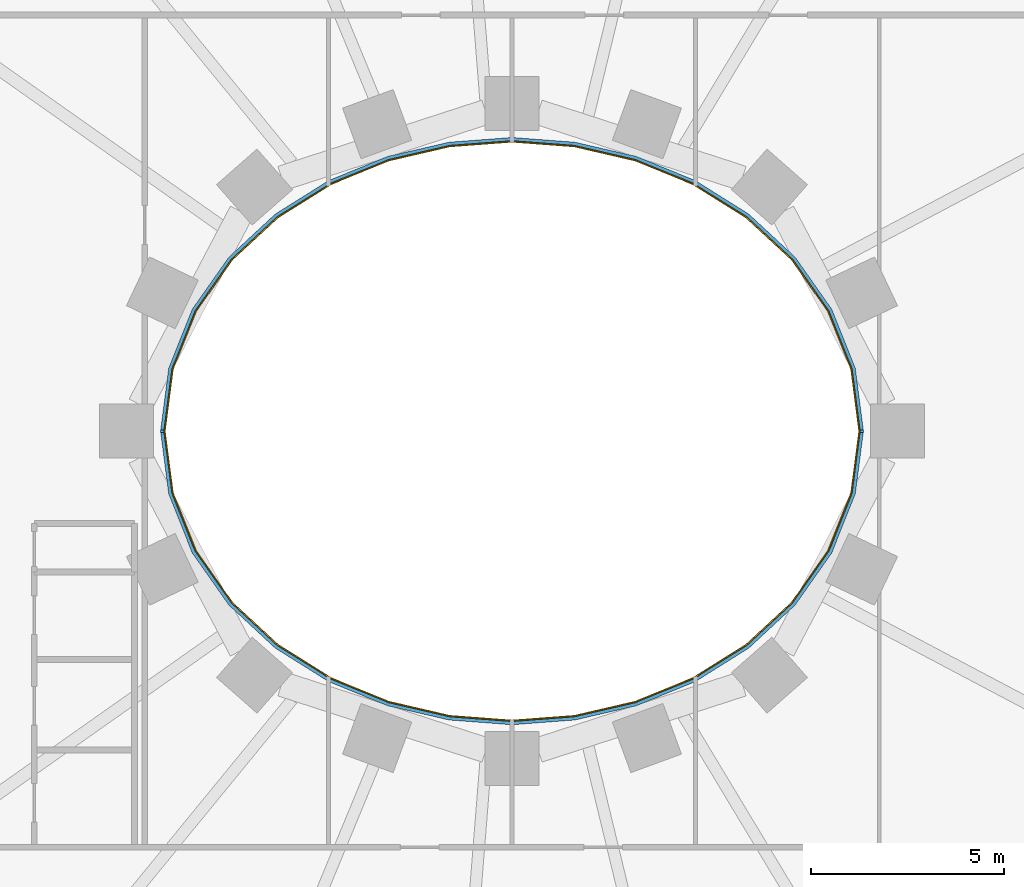
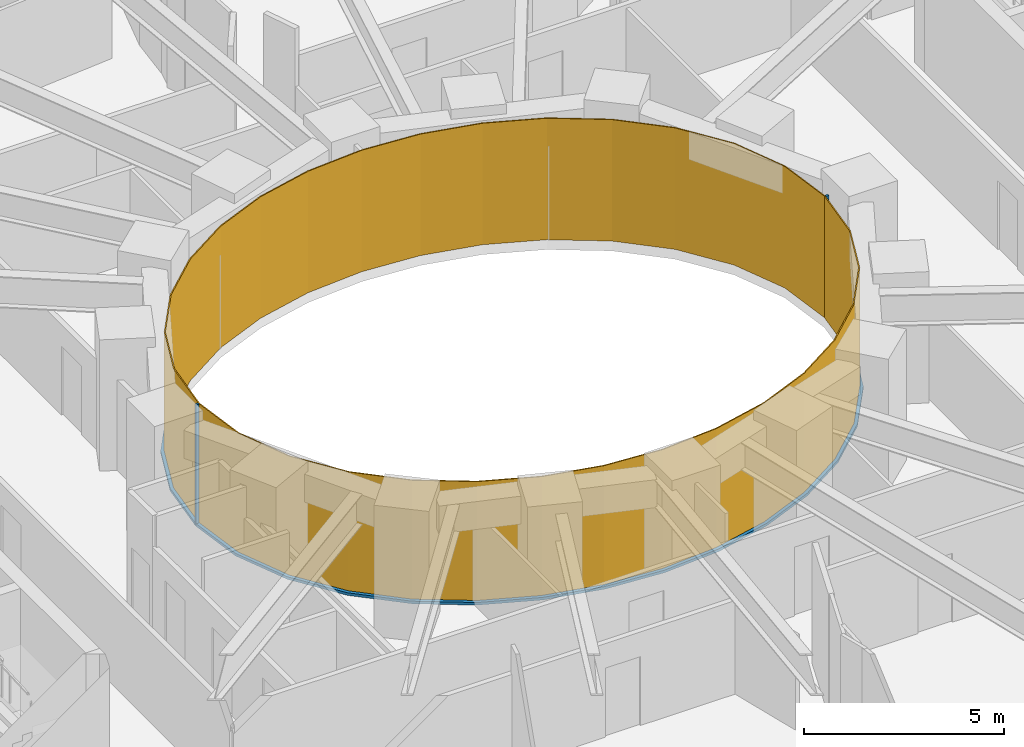
# One storey, part 10 of 15: 4 members, 2 curtain walls.
"""IFC4 building model written with IfcOpenShell, lengths in metres."""

from ifc_helpers import new_model, si_unit, direction, frame, origin, origin_2d, place, context, subcontext, project, spatial, polyline, rectangle, outline, extrude, material, layer, layer_set, material_profile, profile_set, type_object, element, aggregate, save


model = new_model("IFC4")

# Units and contexts
model_context = context("Model", 3, precision=1e-05, world=origin(), true_north=direction((0.0, 1.0)))
body_context = subcontext(model_context, "Body", "Model", "MODEL_VIEW")
ifc_project = project(units=[si_unit("LENGTHUNIT", "METRE"), si_unit("AREAUNIT", "SQUARE_METRE"), si_unit("VOLUMEUNIT", "CUBIC_METRE"), si_unit("PLANEANGLEUNIT", "RADIAN"), si_unit("MASSUNIT", "GRAM", prefix="KILO")], contexts=[model_context])

# Member
ifc_material_1 = material(Name="Steel S355 fire-resisting frame", Category="steel")
ifc_material_profile = material_profile(ifc_material_1, rectangle(XDim=0.090087890625, YDim=0.06005859375, at=origin_2d()), Name="90x60")
ifc_profile_set = profile_set([ifc_material_profile], Name="Steel S355 fire-resisting frame")
member_type_1 = type_object("IfcMemberType", Name="ENV-MULLION-W-90", PredefinedType="MULLION", material=ifc_profile_set)
site_placement = place(None, origin())
building_placement = place(site_placement, origin())
storey_placement = place(building_placement, frame((0.0, 0.0, 50.5)))
member_1_placement = place(storey_placement, frame((9.076904296875, 0.0, 0.0), z_axis=(0.0, 0.0, 1.0), x_axis=(1.0, 0.0, 0.0)))
member_1 = element("IfcMember", 1, at=member_1_placement, type_object=member_type_1, Name="Mullion W well vertex 01", PredefinedType="MULLION", context=body_context, shape_type="SweptSolid", body=[
    extrude(rectangle(XDim=0.090087890625, YDim=0.06005859375, at=origin_2d()), origin(), (0.0, 0.0, 1.0), 3.699951171875),
])

member_2_placement = place(storey_placement, frame((-9.076904296875, 0.0, 0.0), z_axis=(0.0, 0.0, 1.0), x_axis=(-1.0, 0.0, 0.0)))
member_2 = element("IfcMember", 2, at=member_2_placement, type_object=member_type_1, Name="Mullion W well vertex 17", PredefinedType="MULLION", context=body_context, shape_type="SweptSolid", body=[
    extrude(rectangle(XDim=0.090087890625, YDim=0.06005859375, at=origin_2d()), origin(), (0.0, 0.0, 1.0), 3.699951171875),
])

ifc_material_2 = material(Name="Steel S355 fire-resisting frame", Category="steel")
member_type_2 = type_object("IfcMemberType", Name="ENV-TRANSOM-W", PredefinedType="USERDEFINED", material=ifc_material_2)
member_3_placement = place(storey_placement, origin())
member_3 = element("IfcMember", 3, at=member_3_placement, type_object=member_type_2, Name="Transom W well 01-17", ObjectType="TRANSOM", PredefinedType="USERDEFINED", context=body_context, shape_type="SweptSolid", body=[
    extrude(outline(polyline([(9.119384765625, 0.02783203125), (8.910400390625, 1.63623046875), (8.29833984375, 3.167236328125), (7.35107421875, 4.5146484375), (6.1455078125, 5.6337890625), (4.75341796875, 6.50634765625), (3.233642578125, 7.127685546875), (1.635498046875, 7.498779296875), (0.0, 7.622314453125), (-1.635498046875, 7.498779296875), (-3.233642578125, 7.127685546875), (-4.75341796875, 6.50634765625), (-6.1455078125, 5.6337890625), (-7.35107421875, 4.5146484375), (-8.29833984375, 3.167236328125), (-8.910400390625, 1.63623046875), (-9.119384765625, 0.02783203125), (-9.02880859375, 0.02783203125), (-8.822509765625, 1.61328125), (-8.21875, 3.124267578125), (-7.282958984375, 4.455078125), (-6.090576171875, 5.56201171875), (-4.712158203125, 6.426025390625), (-3.206298828125, 7.04150390625), (-1.621826171875, 7.40966796875), (0.0, 7.531982421875), (1.621826171875, 7.40966796875), (3.206298828125, 7.04150390625), (4.712158203125, 6.426025390625), (6.090576171875, 5.56201171875), (7.282958984375, 4.455078125), (8.21875, 3.124267578125), (8.822509765625, 1.61328125), (9.02880859375, 0.02783203125), (9.119384765625, 0.02783203125)])), origin(), (0.0, 0.0, 1.0), 0.080078125),
])

member_4_placement = place(storey_placement, origin())
member_4 = element("IfcMember", 4, at=member_4_placement, type_object=member_type_2, Name="Transom W well 17-01", ObjectType="TRANSOM", PredefinedType="USERDEFINED", context=body_context, shape_type="SweptSolid", body=[
    extrude(outline(polyline([(-9.119384765625, -0.02783203125), (-8.910400390625, -1.63623046875), (-8.29833984375, -3.167236328125), (-7.35107421875, -4.5146484375), (-6.1455078125, -5.6337890625), (-4.75341796875, -6.50634765625), (-3.233642578125, -7.127685546875), (-1.635498046875, -7.498779296875), (0.0, -7.622314453125), (1.635498046875, -7.498779296875), (3.233642578125, -7.127685546875), (4.75341796875, -6.50634765625), (6.1455078125, -5.6337890625), (7.35107421875, -4.5146484375), (8.29833984375, -3.167236328125), (8.910400390625, -1.63623046875), (9.119384765625, -0.02783203125), (9.02880859375, -0.02783203125), (8.822509765625, -1.61328125), (8.21875, -3.124267578125), (7.282958984375, -4.455078125), (6.090576171875, -5.56201171875), (4.712158203125, -6.426025390625), (3.206298828125, -7.04150390625), (1.621826171875, -7.40966796875), (0.0, -7.531982421875), (-1.621826171875, -7.40966796875), (-3.206298828125, -7.04150390625), (-4.712158203125, -6.426025390625), (-6.090576171875, -5.56201171875), (-7.282958984375, -4.455078125), (-8.21875, -3.124267578125), (-8.822509765625, -1.61328125), (-9.02880859375, -0.02783203125), (-9.119384765625, -0.02783203125)])), origin(), (0.0, 0.0, 1.0), 0.080078125),
])

# Site, building, storey
site = spatial("IfcSite", under=ifc_project, at=site_placement, CompositionType="ELEMENT")
building = spatial("IfcBuilding", under=site, at=building_placement, Name="Noorbagh Ring Tower", CompositionType="ELEMENT")
storey = spatial("IfcBuildingStorey", under=building, at=storey_placement, Name="L10", CompositionType="ELEMENT", Elevation=50.5)

# Curtain wall
ifc_material_3 = material(Name="Glass fire-resisting E60 laminated", Category="glass")
ifc_layer = layer(ifc_material_3, 0.031982421875)
ifc_layer_set = layer_set([ifc_layer], Name="Glass fire-resisting E60 laminated")
curtain_wall_type = type_object("IfcCurtainWallType", Name="ENV-CW-W", PredefinedType="NOTDEFINED", material=ifc_layer_set)
curtain_wall_1_placement = place(storey_placement, origin())
curtain_wall_1 = element("IfcCurtainWall", 5, at=curtain_wall_1_placement, inside=storey, type_object=curtain_wall_type, Name="Curtain wall W W01", PredefinedType="NOTDEFINED", context=body_context, shape_type="SweptSolid", body=[
    extrude(outline(polyline([(9.0322265625, 0.0), (8.822509765625, 1.61328125), (8.21875, 3.124267578125), (7.282958984375, 4.455078125), (6.090576171875, 5.56201171875), (4.712158203125, 6.426025390625), (3.206298828125, 7.04150390625), (1.621826171875, 7.40966796875), (0.0, 7.531982421875), (-1.621826171875, 7.40966796875), (-3.206298828125, 7.04150390625), (-4.712158203125, 6.426025390625), (-6.090576171875, 5.56201171875), (-7.282958984375, 4.455078125), (-8.21875, 3.124267578125), (-8.822509765625, 1.61328125), (-9.0322265625, 0.0), (-9.0, 0.0), (-8.79150390625, 1.605224609375), (-8.1904296875, 3.10888671875), (-7.2587890625, 4.43408203125), (-6.071044921875, 5.53662109375), (-4.697509765625, 6.3974609375), (-3.196533203125, 7.010986328125), (-1.6171875, 7.3779296875), (0.0, 7.5), (1.6171875, 7.3779296875), (3.196533203125, 7.010986328125), (4.697509765625, 6.3974609375), (6.071044921875, 5.53662109375), (7.2587890625, 4.43408203125), (8.1904296875, 3.10888671875), (8.79150390625, 1.605224609375), (9.0, 0.0), (9.0322265625, 0.0)])), origin(), (0.0, 0.0, 1.0), 3.699951171875),
])

aggregate(curtain_wall_1, [member_1, member_2, member_3])

curtain_wall_2_placement = place(storey_placement, origin())
curtain_wall_2 = element("IfcCurtainWall", 6, at=curtain_wall_2_placement, inside=storey, type_object=curtain_wall_type, Name="Curtain wall W W17", PredefinedType="NOTDEFINED", context=body_context, shape_type="SweptSolid", body=[
    extrude(outline(polyline([(-9.0322265625, 0.0), (-8.822509765625, -1.61328125), (-8.21875, -3.124267578125), (-7.282958984375, -4.455078125), (-6.090576171875, -5.56201171875), (-4.712158203125, -6.426025390625), (-3.206298828125, -7.04150390625), (-1.621826171875, -7.40966796875), (0.0, -7.531982421875), (1.621826171875, -7.40966796875), (3.206298828125, -7.04150390625), (4.712158203125, -6.426025390625), (6.090576171875, -5.56201171875), (7.282958984375, -4.455078125), (8.21875, -3.124267578125), (8.822509765625, -1.61328125), (9.0322265625, 0.0), (9.0, 0.0), (8.79150390625, -1.605224609375), (8.1904296875, -3.10888671875), (7.2587890625, -4.43408203125), (6.071044921875, -5.53662109375), (4.697509765625, -6.3974609375), (3.196533203125, -7.010986328125), (1.6171875, -7.3779296875), (0.0, -7.5), (-1.6171875, -7.3779296875), (-3.196533203125, -7.010986328125), (-4.697509765625, -6.3974609375), (-6.071044921875, -5.53662109375), (-7.2587890625, -4.43408203125), (-8.1904296875, -3.10888671875), (-8.79150390625, -1.605224609375), (-9.0, 0.0), (-9.0322265625, 0.0)])), origin(), (0.0, 0.0, 1.0), 3.699951171875),
])

aggregate(curtain_wall_2, [member_4])

save(model, "model.ifc")
